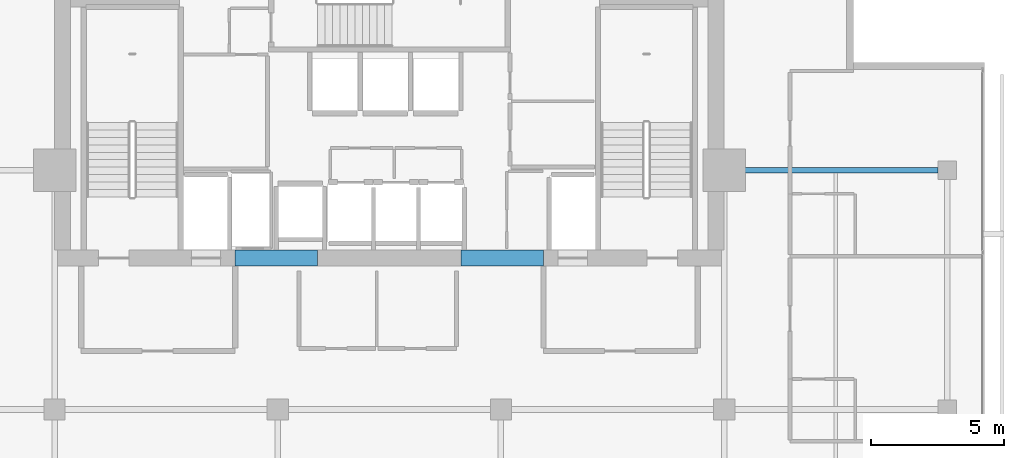
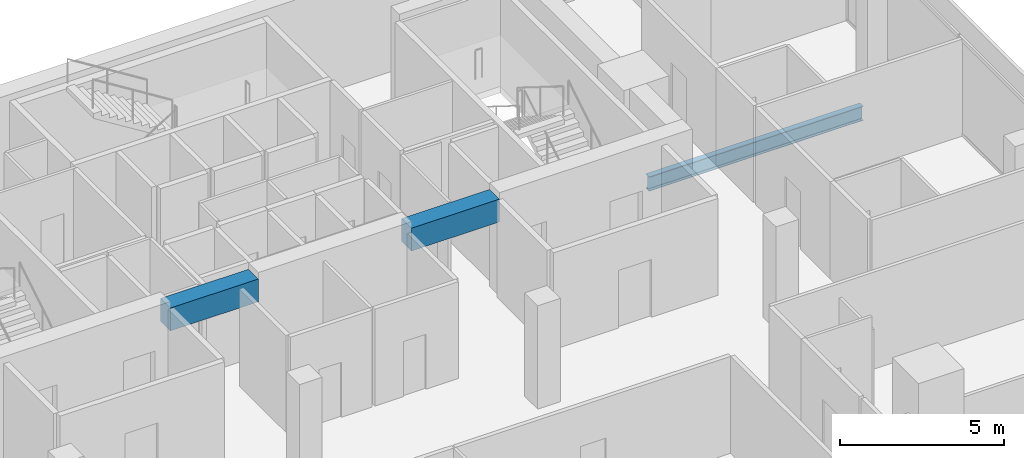
# One storey, part 17 of 26: 3 beams.
"""IFC4 building model written with IfcOpenShell, lengths in metres."""

import ifcopenshell
import ifcopenshell.guid

model = None  # the IFC model being written
_history = None  # IfcOwnerHistory: only IFC2X3 demands one
_inside = {}  # id of a spatial element -> (the spatial element, [elements in it])
_under = {}  # id of a project, library or spatial element -> (it, [spatial elements below it])
_declared = {}  # id of a project -> (the project, [libraries it declares])
_typed = {}  # id of a type object -> (the type object, [elements of that type])
_made_of = {}  # id of a material, layer set ... -> (it, [elements and type objects made of it])


def new_model(schema):
    """Start an empty IFC model of exactly this schema.

    Asked for "IFC4X3", IfcOpenShell would pick the latest addendum, in which some entities
    have other attributes; the version numbers below select the first issue.
    IFC2X3 requires an IfcOwnerHistory on every rooted entity: one is made here for all.
    """
    global model, _history
    if schema == "IFC4X3":
        model = ifcopenshell.file(schema_version=(4, 3, 0, 0))
    else:
        model = ifcopenshell.file(schema=schema)
    _inside.clear()
    _under.clear()
    _declared.clear()
    _typed.clear()
    _made_of.clear()
    _history = None
    if model.schema == "IFC2X3":
        org = make("IfcOrganization", Name="unknown")
        user = make(
            "IfcPersonAndOrganization",
            ThePerson=make("IfcPerson", FamilyName="unknown"),
            TheOrganization=org,
        )
        app = make(
            "IfcApplication",
            ApplicationDeveloper=org,
            Version="unknown",
            ApplicationFullName="unknown",
            ApplicationIdentifier="unknown",
        )
        _history = make(
            "IfcOwnerHistory",
            OwningUser=user,
            OwningApplication=app,
            ChangeAction="ADDED",
            CreationDate=0,
        )
    return model


def make(cls, **values):
    """One entity of the class cls with the attributes given. An attribute that is None is left unset."""
    return model.create_entity(
        cls, **{name: value for name, value in values.items() if value is not None}
    )


def rooted(cls, **values):
    """An entity with a GlobalId (a new one), such as an element, a storey or a relation."""
    return make(cls, GlobalId=ifcopenshell.guid.new(), OwnerHistory=_history, **values)


def si_unit(unit_type, name, prefix=None):
    """IfcSIUnit, for example si_unit("LENGTHUNIT", "METRE", prefix="MILLI")."""
    return make("IfcSIUnit", UnitType=unit_type, Prefix=prefix, Name=name)


def assignment(units):
    """IfcUnitAssignment: the units of a project."""
    return None if units is None else make("IfcUnitAssignment", Units=units)


def point(xyz):
    """IfcCartesianPoint."""
    return None if xyz is None else make("IfcCartesianPoint", Coordinates=xyz)


def direction(xyz):
    """IfcDirection."""
    return None if xyz is None else make("IfcDirection", DirectionRatios=xyz)


def frame(location, z_axis=None, x_axis=None):
    """IfcAxis2Placement3D, a coordinate frame: its origin and axes. An axis left out is left unset."""
    return make(
        "IfcAxis2Placement3D",
        Location=point(location),
        Axis=direction(z_axis),
        RefDirection=direction(x_axis),
    )


def frame_2d(location, x_axis=None):
    """IfcAxis2Placement2D, a coordinate frame in the plane: its origin and x axis."""
    return make(
        "IfcAxis2Placement2D", Location=point(location), RefDirection=direction(x_axis)
    )


def origin():
    """The frame at (0, 0, 0) with its axes left unset."""
    return frame((0.0, 0.0, 0.0))


def origin_2d():
    """The frame at (0, 0) in the plane with its x axis left unset."""
    return frame_2d((0.0, 0.0))


def place(relative_to, where):
    """IfcLocalPlacement: puts the frame where relative to a parent placement (None: the world)."""
    return make(
        "IfcLocalPlacement", PlacementRelTo=relative_to, RelativePlacement=where
    )


def context(
    kind, dimensions, precision=None, world=None, true_north=None, identifier=None
):
    """IfcGeometricRepresentationContext, for example the 3D "Model" context."""
    return make(
        "IfcGeometricRepresentationContext",
        ContextIdentifier=identifier,
        ContextType=kind,
        CoordinateSpaceDimension=dimensions,
        Precision=precision,
        WorldCoordinateSystem=world,
        TrueNorth=true_north,
    )


def subcontext(parent, identifier, kind, view, scale=None):
    """IfcGeometricRepresentationSubContext, for example "Body" below "Model"."""
    return make(
        "IfcGeometricRepresentationSubContext",
        ContextIdentifier=identifier,
        ContextType=kind,
        ParentContext=parent,
        TargetScale=scale,
        TargetView=view,
    )


def project(units=None, contexts=None):
    """IfcProject with its units and contexts."""
    return rooted(
        "IfcProject",
        Name="project",
        RepresentationContexts=contexts,
        UnitsInContext=assignment(units),
    )


def spatial(cls, under=None, at=None, **own):
    """A site, building, storey or space (cls), placed at a placement, below another one or the project."""
    s = rooted(cls, ObjectPlacement=at, **own)
    if under is not None:
        _under.setdefault(under.id(), (under, []))[1].append(s)
    return s


def profile(cls, at=None, kind="AREA", **sizes):
    """A parametric profile (cls). Its sizes go by their IFC names, for example OverallWidth=200.0."""
    return make(cls, ProfileType=kind, Position=at, **sizes)


def rectangle(**sizes):
    """IfcRectangleProfileDef."""
    return profile("IfcRectangleProfileDef", **sizes)


def i_section(**sizes):
    """IfcIShapeProfileDef."""
    return profile("IfcIShapeProfileDef", **sizes)


def extrude(swept, where, along, depth):
    """IfcExtrudedAreaSolid: the profile swept, set in the frame where, extruded along a direction by depth."""
    return make(
        "IfcExtrudedAreaSolid",
        SweptArea=swept,
        Position=where,
        ExtrudedDirection=direction(along),
        Depth=depth,
    )


def shape(context_of_items, identifier, shape_type, items):
    """IfcShapeRepresentation: the items that make up one representation, for example the "Body"."""
    return make(
        "IfcShapeRepresentation",
        ContextOfItems=context_of_items,
        RepresentationIdentifier=identifier,
        RepresentationType=shape_type,
        Items=items,
    )


def material(Name=None, Category=None):
    """IfcMaterial."""
    return make("IfcMaterial", Name=Name, Category=Category)


def material_profile(
    of_material, cross_section, Name=None, Category=None, Priority=None
):
    """IfcMaterialProfile: a cross section and its material."""
    return make(
        "IfcMaterialProfile",
        Name=Name,
        Material=of_material,
        Profile=cross_section,
        Priority=Priority,
        Category=Category,
    )


def profile_set(profiles, Name=None, composite=None):
    """IfcMaterialProfileSet."""
    return make(
        "IfcMaterialProfileSet",
        Name=Name,
        MaterialProfiles=profiles,
        CompositeProfile=composite,
    )


def made_of(thing, what):
    """Note that an element or type object is made of a material, layer set ...; save() writes the relation."""
    if what is not None:
        _made_of.setdefault(what.id(), (what, []))[1].append(thing)
    return thing


def type_object(cls, material=None, **own):
    """A type object (cls), such as IfcWallType, which elements share."""
    return made_of(rooted(cls, **own), material)


def element(
    cls,
    number,
    at=None,
    inside=None,
    cuts=None,
    type_object=None,
    material=None,
    context=None,
    identifier="Body",
    shape_type=None,
    held_by="IfcProductDefinitionShape",
    body=None,
    shapes=None,
    **own,
):
    """One element of the class cls, such as IfcWall. Its Tag is "e" and its number.

    at: its placement. inside: the storey or other place that contains it. cuts: it is an
    opening in that element (IfcRelVoidsElement). A single representation is given by context,
    identifier, shape_type and body (its items); several are given by shapes. held_by: the class
    of the entity that holds the representations. save() writes the other relations.
    """
    e = rooted(cls, Tag="e%d" % number, ObjectPlacement=at, **own)
    if body is not None:
        shapes = [shape(context, identifier, shape_type, body)]
    if shapes is not None:
        e.Representation = make(held_by, Representations=shapes)
    if inside is not None:
        _inside.setdefault(inside.id(), (inside, []))[1].append(e)
    if cuts is not None:
        rooted(
            "IfcRelVoidsElement", RelatingBuildingElement=cuts, RelatedOpeningElement=e
        )
    if type_object is not None:
        _typed.setdefault(type_object.id(), (type_object, []))[1].append(e)
    return made_of(e, material)


def aggregate(whole, parts):
    """IfcRelAggregates: a whole, such as a stair, and the parts it consists of."""
    return rooted("IfcRelAggregates", RelatingObject=whole, RelatedObjects=parts)


def save(model, path):
    """Write the relations noted so far, then the file.

    IfcRelAggregates (storeys below a building ...), IfcRelContainedInSpatialStructure (elements
    in a storey), IfcRelDefinesByType, IfcRelAssociatesMaterial and IfcRelDeclares: one each for
    every whole, place, type object, material and project.
    """
    for whole, parts in _under.values():
        aggregate(whole, parts)
    for where, things in _inside.values():
        rooted(
            "IfcRelContainedInSpatialStructure",
            RelatedElements=things,
            RelatingStructure=where,
        )
    for kind, things in _typed.values():
        rooted("IfcRelDefinesByType", RelatedObjects=things, RelatingType=kind)
    for what, things in _made_of.values():
        rooted("IfcRelAssociatesMaterial", RelatedObjects=things, RelatingMaterial=what)
    for by, libraries in _declared.values():
        rooted("IfcRelDeclares", RelatingContext=by, RelatedDefinitions=libraries)
    model.write(path)


model = new_model("IFC4")

# Units and contexts
model_context = context("Model", 3, precision=1e-05, world=origin(), true_north=direction((0.0, 1.0)))
body_context = subcontext(model_context, "Body", "Model", "MODEL_VIEW")
ifc_project = project(units=[si_unit("LENGTHUNIT", "METRE"), si_unit("AREAUNIT", "SQUARE_METRE"), si_unit("VOLUMEUNIT", "CUBIC_METRE"), si_unit("PLANEANGLEUNIT", "RADIAN"), si_unit("MASSUNIT", "GRAM", prefix="KILO")], contexts=[model_context])

# Site, building, storey
site_placement = place(None, origin())
site = spatial("IfcSite", under=ifc_project, at=site_placement, CompositionType="ELEMENT")
building_placement = place(site_placement, origin())
building = spatial("IfcBuilding", under=site, at=building_placement, Name="Maruvema Waterfront Hotel and Observation Tower", CompositionType="ELEMENT")
storey_placement = place(building_placement, frame((0.0, 0.0, 243.25)))
storey = spatial("IfcBuildingStorey", under=building, at=storey_placement, Name="L59", CompositionType="ELEMENT", Elevation=243.25)

# Beams
ifc_material_1 = material(Name="Concrete C60/75", Category="concrete")
ifc_material_profile_1 = material_profile(ifc_material_1, rectangle(XDim=0.60009765625, YDim=0.85009765625, at=origin_2d()), Name="CB600x850")
ifc_profile_set_1 = profile_set([ifc_material_profile_1], Name="Concrete C60/75")
beam_type_1 = type_object("IfcBeamType", Name="Core Coupling Lintel Beam CB600x850", PredefinedType="LINTEL", material=ifc_profile_set_1)
for number, where, z_axis, x_axis, name in (
    (1, (32.0, 41.699951171875, 3.18505859375), (1.0, 0.0, 0.0), (0.0, 1.0, 0.0), "L59 Core Coupling Lintel Beam West"),
    (2, (40.5, 41.699951171875, 3.18505859375), (1.0, 0.0, 0.0), (0.0, 1.0, 0.0), "L59 Core Coupling Lintel Beam East"),
):
    element("IfcBeam", number, at=place(storey_placement, frame(where, z_axis=z_axis, x_axis=x_axis)), inside=storey, type_object=beam_type_1, Name=name, PredefinedType="LINTEL", context=body_context, shape_type="SweptSolid", body=[
        extrude(rectangle(XDim=0.60009765625, YDim=0.85009765625, at=origin_2d()), origin(), (0.0, 0.0, 1.0), 3.10009765625),
    ])
ifc_material_2 = material(Name="Steel ASTM A572 Grade 50", Category="steel")
ifc_material_profile_2 = material_profile(ifc_material_2, i_section(OverallWidth=0.208984375, OverallDepth=0.532958984375, WebThickness=0.01025390625, FlangeThickness=0.015625, FilletRadius=0.014892578125, at=origin_2d()), Name="W530x92.0")
ifc_profile_set_2 = profile_set([ifc_material_profile_2], Name="Steel ASTM A572 Grade 50")
beam_type_2 = type_object("IfcBeamType", Name="Primary Floor Girder W530x92.0", PredefinedType="BEAM", material=ifc_profile_set_2)
beam_placement = place(storey_placement, frame((50.89990234375, 45.0, -0.506591796875), z_axis=(1.0, 0.0, 0.0), x_axis=(0.0, 1.0, 0.0)))
element("IfcBeam", 3, at=beam_placement, inside=storey, type_object=beam_type_2, Name="L59 Floor Girder EW-18", PredefinedType="BEAM", context=body_context, shape_type="SweptSolid", body=[
    extrude(i_section(OverallWidth=0.208984375, OverallDepth=0.532958984375, WebThickness=0.01025390625, FlangeThickness=0.015625, FilletRadius=0.014892578125, at=origin_2d()), origin(), (0.0, 0.0, 1.0), 7.550048828125),
])

save(model, "model.ifc")
